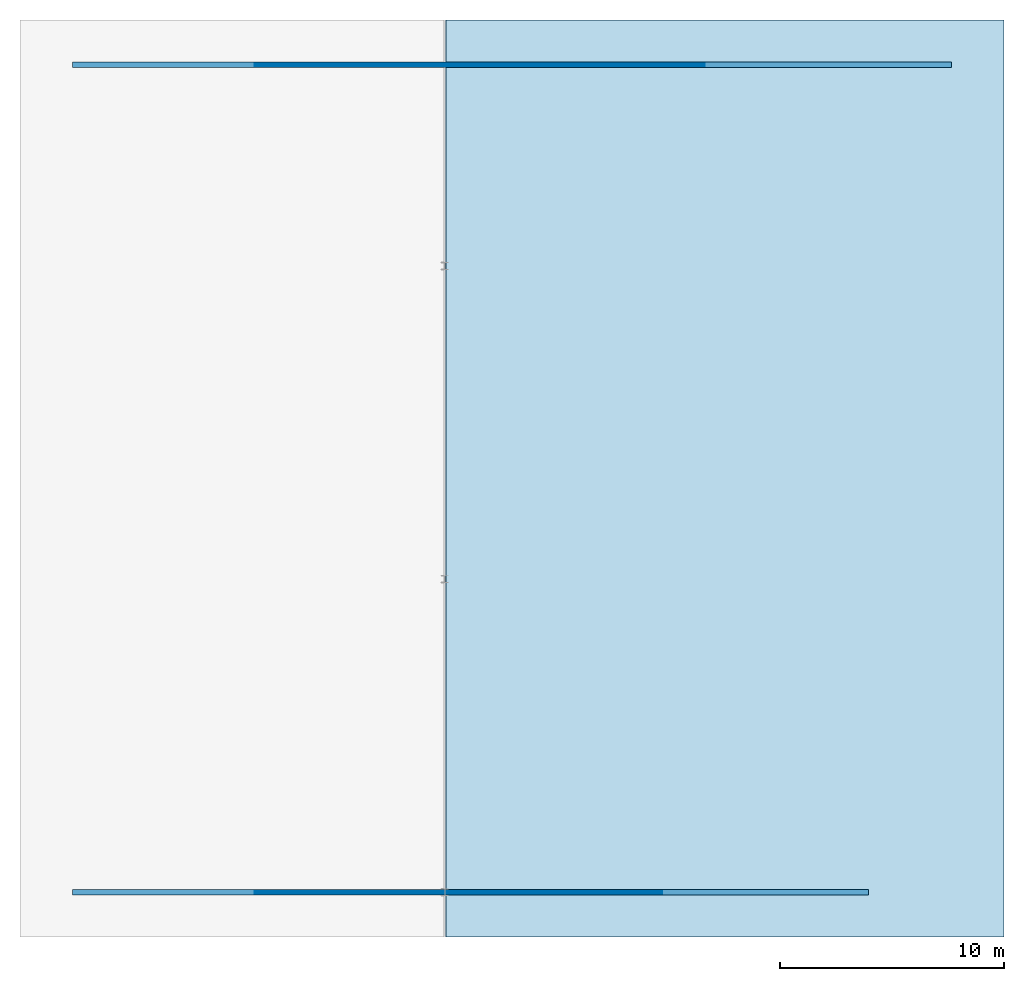
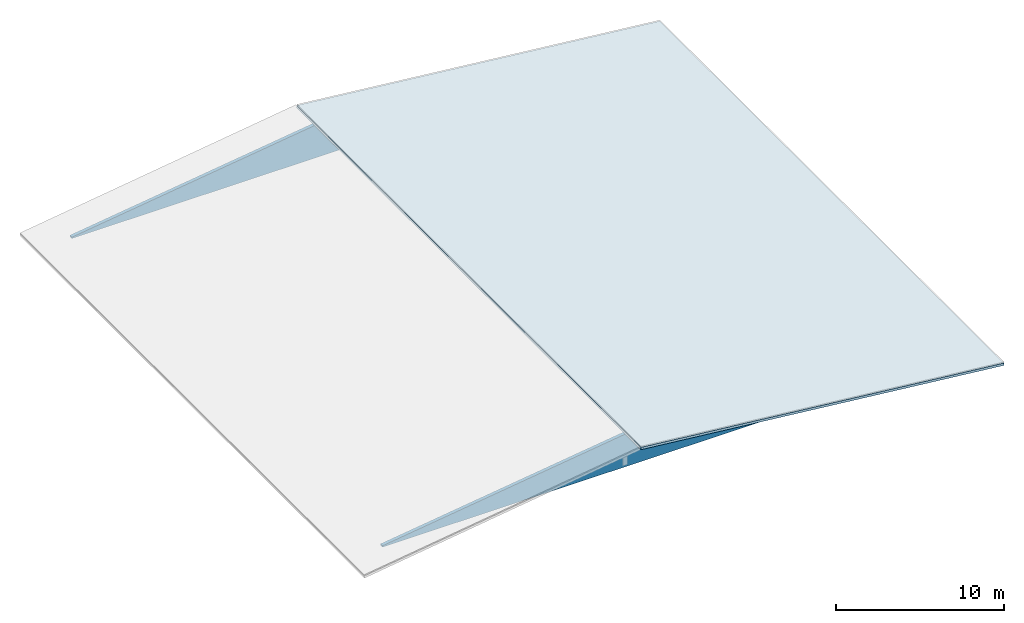
# One storey, part 2 of 3: 2 walls, 1 slab, 1 element without a shape of its own.
"""IFC4 building model written with IfcOpenShell, lengths in metres."""

from ifc_helpers import new_model, si_unit, direction, frame, origin, place, context, subcontext, project, spatial, polyline, outline, extrude, material, layer, layer_set, type_object, element, aggregate, save


model = new_model("IFC4")

# Units and contexts
model_context = context("Model", 3, precision=1e-05, world=origin(), true_north=direction((0.0, 1.0)))
body_context = subcontext(model_context, "Body", "Model", "MODEL_VIEW")
ifc_project = project(units=[si_unit("LENGTHUNIT", "METRE"), si_unit("AREAUNIT", "SQUARE_METRE"), si_unit("VOLUMEUNIT", "CUBIC_METRE"), si_unit("PLANEANGLEUNIT", "RADIAN"), si_unit("MASSUNIT", "GRAM", prefix="KILO")], contexts=[model_context])

# Site, building, storey
site_placement = place(None, origin())
site = spatial("IfcSite", under=ifc_project, at=site_placement, CompositionType="ELEMENT")
building_placement = place(site_placement, origin())
building = spatial("IfcBuilding", under=site, at=building_placement, Name="Larkveld Mobility Hub", CompositionType="ELEMENT")
storey_placement = place(building_placement, frame((0.0, 0.0, 27.0)))
storey = spatial("IfcBuildingStorey", under=building, at=storey_placement, Name="RF", CompositionType="ELEMENT", Elevation=27.0)

# Roof, slab
ifc_material = material(Name="Precast concrete C50/60", Category="concrete")
roof_type = type_object("IfcRoofType", Name="ROF-HIP-01", PredefinedType="HIP_ROOF", material=ifc_material)
roof_placement = place(storey_placement, origin())
roof = element("IfcRoof", 1, at=roof_placement, inside=storey, type_object=roof_type, Name="Sports Pavilion Pitched Roof", PredefinedType="HIP_ROOF")
ifc_layer_1 = layer(ifc_material, 0.169921875, Name="Precast concrete C50/60", Category="concrete")
ifc_layer_set_1 = layer_set([ifc_layer_1], Name="Precast concrete C50/60")
slab_type = type_object("IfcSlabType", Name="SL-RF-PAV170", PredefinedType="ROOF", material=ifc_layer_set_1)
slab_placement = place(storey_placement, frame((129.0400390625, 67.0, 2.39990234375), z_axis=(0.103956547024, 0.0, 0.994581839936), x_axis=(0.994581839936, 0.0, -0.103956547024)))
slab = element("IfcSlab", 2, at=slab_placement, type_object=slab_type, Name="Sports Pavilion Sloped Roof Slab 2", PredefinedType="ROOF", context=body_context, shape_type="SweptSolid", body=[
    extrude(outline(polyline([(0.0, 0.0), (25.095934728812075, 0.0), (25.095934728812075, -41.0), (0.0, -41.0), (0.0, 0.0)])), origin(), (0.0, 0.0, -1.0), 0.169921875),
])
aggregate(roof, [slab])

# Walls
ifc_layer_2 = layer(ifc_material, 0.239990234375, Name="Precast concrete C50/60", Category="concrete")
ifc_layer_set_2 = layer_set([ifc_layer_2], Name="Precast concrete C50/60")
wall_type = type_object("IfcWallType", Name="WL-EXT-240", PredefinedType="SOLIDWALL", material=ifc_layer_set_2)
wall_1_placement = place(storey_placement, frame((112.35009765625, 28.0, -0.14990234375), z_axis=(0.0, 0.0, 1.0), x_axis=(1.0, 0.0, 0.0)))
element("IfcWall", 3, at=wall_1_placement, inside=storey, type_object=wall_type, Name="Sports Pavilion South Gable Tympanum Wall", PredefinedType="SOLIDWALL", context=body_context, shape_type="SweptSolid", body=[
    extrude(outline(polyline([(0.0, 0.0), (35.599853515625, 0.0), (35.60009765625, 0.099853515625), (16.64990234375, 2.369873046875), (0.0, 0.099853515625), (0.0, 0.0)])), frame((0.0, 0.1201171875, 0.0), z_axis=(0.0, -1.0, 0.0), x_axis=(1.0, 0.0, 0.0)), (0.0, 0.0, 1.0), 0.239990234375),
])
wall_2_placement = place(storey_placement, frame((151.64990234375, 65.0, -0.14990234375), z_axis=(0.0, 0.0, 1.0), x_axis=(-1.0, 0.0, 0.0)))
element("IfcWall", 4, at=wall_2_placement, inside=storey, type_object=wall_type, Name="Sports Pavilion North Gable Tympanum Wall", PredefinedType="SOLIDWALL", context=body_context, shape_type="SweptSolid", body=[
    extrude(outline(polyline([(0.0, 0.0), (39.2998046875, 0.0), (39.300048828125, 0.099853515625), (22.64990234375, 2.369873046875), (0.0, 0.099853515625), (0.0, 0.0)])), frame((0.0, 0.1201171875, 0.0), z_axis=(0.0, -1.0, 0.0), x_axis=(1.0, 0.0, 0.0)), (0.0, 0.0, 1.0), 0.239990234375),
])

save(model, "model.ifc")
